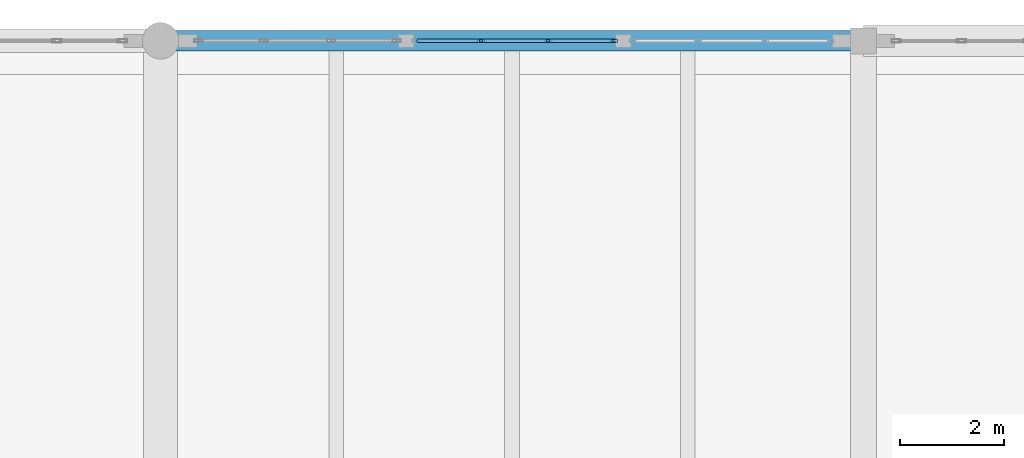
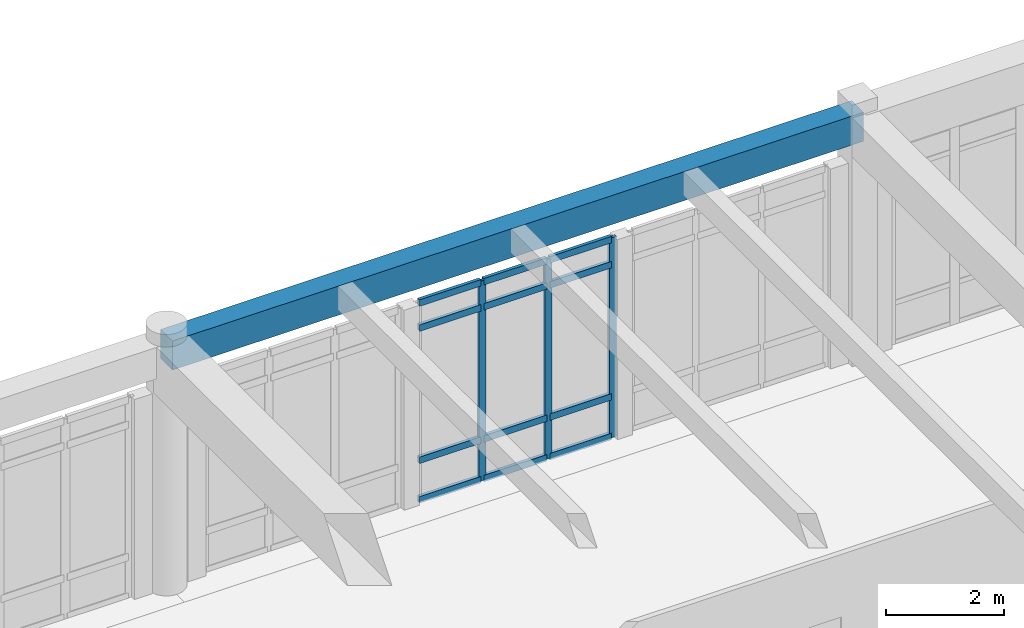
# One storey, part 57 of 138: 15 members, 1 beam, 1 element without a shape of its own.
"""IFC4 building model written with IfcOpenShell, lengths in metres."""

from ifc_helpers import new_model, si_unit, direction, frame, origin, origin_2d, place, context, subcontext, project, spatial, rectangle, hollow_rectangle, extrude, material, layer, layer_set, material_profile, profile_set, type_object, element, aggregate, save


model = new_model("IFC4")

# Units and contexts
model_context = context("Model", 3, precision=1e-05, world=origin(), true_north=direction((0.0, 1.0)))
body_context = subcontext(model_context, "Body", "Model", "MODEL_VIEW")
ifc_project = project(units=[si_unit("LENGTHUNIT", "METRE"), si_unit("AREAUNIT", "SQUARE_METRE"), si_unit("VOLUMEUNIT", "CUBIC_METRE"), si_unit("PLANEANGLEUNIT", "RADIAN"), si_unit("MASSUNIT", "GRAM", prefix="KILO")], contexts=[model_context])

# Site, building, storey
site_placement = place(None, origin())
site = spatial("IfcSite", under=ifc_project, at=site_placement, CompositionType="ELEMENT")
building_placement = place(site_placement, origin())
building = spatial("IfcBuilding", under=site, at=building_placement, Name="Fikremerkos Civic Library", CompositionType="ELEMENT")
storey_placement = place(building_placement, origin())
storey = spatial("IfcBuildingStorey", under=building, at=storey_placement, Name="L00", CompositionType="ELEMENT", Elevation=0.0)

# Curtain wall, members
ifc_material_1 = material(Name="Anodized aluminium Frame", Category="aluminium")
ifc_layer = layer(ifc_material_1, 0.159912109375, Name="Anodized aluminium Frame")
ifc_layer_set = layer_set([ifc_layer], Name="Anodized aluminium Frame")
curtain_wall_type = type_object("IfcCurtainWallType", Name="Unitised curtain wall CW-11 3200x3400", PredefinedType="USERDEFINED", material=ifc_layer_set)
curtain_wall_placement = place(storey_placement, origin())
curtain_wall = element("IfcCurtainWall", 1, at=curtain_wall_placement, inside=storey, type_object=curtain_wall_type, Name="Unitised curtain wall CW-11 L00 #47", ObjectType="UNITISED CURTAIN WALL", PredefinedType="USERDEFINED")
ifc_material_profile_1 = material_profile(ifc_material_1, hollow_rectangle(XDim=0.06005859375, YDim=0.139892578125, WallThickness=0.00390625, at=origin_2d()), Name="ALU 140x60x4")
ifc_profile_set_1 = profile_set([ifc_material_profile_1], Name="Anodized aluminium Frame")
member_type_1 = type_object("IfcMemberType", Name="Curtain mullion CWM-03 ALU 140x60x4", PredefinedType="MULLION", material=ifc_profile_set_1)
member_1_placement = place(storey_placement, frame((92.855224609375, 117.60009765625, 0.0), z_axis=(0.0, 0.0, 1.0), x_axis=(0.0, 1.0, 0.0)))
member_1 = element("IfcMember", 2, at=member_1_placement, type_object=member_type_1, Name="CW-11 mullion 2", PredefinedType="MULLION", context=body_context, shape_type="SweptSolid", body=[
    extrude(hollow_rectangle(XDim=0.06005859375, YDim=0.139892578125, WallThickness=0.00390625, at=origin_2d()), origin(), (0.0, 0.0, 1.0), 4.1298828125),
])
member_2_placement = place(storey_placement, frame((94.144775390625, 117.60009765625, 0.0), z_axis=(0.0, 0.0, 1.0), x_axis=(0.0, 1.0, 0.0)))
member_2 = element("IfcMember", 3, at=member_2_placement, type_object=member_type_1, Name="CW-11 mullion 3", PredefinedType="MULLION", context=body_context, shape_type="SweptSolid", body=[
    extrude(hollow_rectangle(XDim=0.06005859375, YDim=0.139892578125, WallThickness=0.00390625, at=origin_2d()), origin(), (0.0, 0.0, 1.0), 4.1298828125),
])
member_3_placement = place(storey_placement, frame((95.404052734375, 117.60009765625, 0.0), z_axis=(0.0, 0.0, 1.0), x_axis=(0.0, 1.0, 0.0)))
member_3 = element("IfcMember", 4, at=member_3_placement, type_object=member_type_1, Name="CW-11 mullion 4", PredefinedType="MULLION", context=body_context, shape_type="SweptSolid", body=[
    extrude(hollow_rectangle(XDim=0.06005859375, YDim=0.139892578125, WallThickness=0.00390625, at=origin_2d()), origin(), (0.0, 0.0, 1.0), 4.1298828125),
])
ifc_material_profile_2 = material_profile(ifc_material_1, hollow_rectangle(XDim=0.06494140625, YDim=0.135009765625, WallThickness=0.00439453125, at=origin_2d()), Name="ALU 135x65x4.5")
ifc_profile_set_2 = profile_set([ifc_material_profile_2], Name="Anodized aluminium Frame")
member_type_2 = type_object("IfcMemberType", Name="Curtain transom CWT-02 ALU 135x65x4.5", PredefinedType="USERDEFINED", material=ifc_profile_set_2)
member_4_placement = place(storey_placement, frame((91.6259765625, 117.60009765625, 0.032470703125), z_axis=(1.0, 0.0, 0.0), x_axis=(0.0, 1.0, 0.0)))
member_4 = element("IfcMember", 5, at=member_4_placement, type_object=member_type_2, Name="CW-11 transom 1.1", ObjectType="TRANSOM", PredefinedType="USERDEFINED", context=body_context, shape_type="SweptSolid", body=[
    extrude(hollow_rectangle(XDim=0.06494140625, YDim=0.135009765625, WallThickness=0.00439453125, at=origin_2d()), origin(), (0.0, 0.0, 1.0), 1.199462890625),
])
member_5_placement = place(storey_placement, frame((91.6259765625, 117.60009765625, 0.85009765625), z_axis=(1.0, 0.0, 0.0), x_axis=(0.0, 1.0, 0.0)))
member_5 = element("IfcMember", 6, at=member_5_placement, type_object=member_type_2, Name="CW-11 transom 1.2", ObjectType="TRANSOM", PredefinedType="USERDEFINED", context=body_context, shape_type="SweptSolid", body=[
    extrude(hollow_rectangle(XDim=0.06494140625, YDim=0.135009765625, WallThickness=0.00439453125, at=origin_2d()), origin(), (0.0, 0.0, 1.0), 1.199462890625),
])
member_6_placement = place(storey_placement, frame((91.6259765625, 117.60009765625, 3.580078125), z_axis=(1.0, 0.0, 0.0), x_axis=(0.0, 1.0, 0.0)))
member_6 = element("IfcMember", 7, at=member_6_placement, type_object=member_type_2, Name="CW-11 transom 1.3", ObjectType="TRANSOM", PredefinedType="USERDEFINED", context=body_context, shape_type="SweptSolid", body=[
    extrude(hollow_rectangle(XDim=0.06494140625, YDim=0.135009765625, WallThickness=0.00439453125, at=origin_2d()), origin(), (0.0, 0.0, 1.0), 1.199462890625),
])
member_7_placement = place(storey_placement, frame((91.6259765625, 117.60009765625, 4.097412109375), z_axis=(1.0, 0.0, 0.0), x_axis=(0.0, 1.0, 0.0)))
member_7 = element("IfcMember", 8, at=member_7_placement, type_object=member_type_2, Name="CW-11 transom 1.4", ObjectType="TRANSOM", PredefinedType="USERDEFINED", context=body_context, shape_type="SweptSolid", body=[
    extrude(hollow_rectangle(XDim=0.06494140625, YDim=0.135009765625, WallThickness=0.00439453125, at=origin_2d()), origin(), (0.0, 0.0, 1.0), 1.199462890625),
])
member_8_placement = place(storey_placement, frame((92.88525390625, 117.60009765625, 0.032470703125), z_axis=(1.0, 0.0, 0.0), x_axis=(0.0, 1.0, 0.0)))
member_8 = element("IfcMember", 9, at=member_8_placement, type_object=member_type_2, Name="CW-11 transom 2.1", ObjectType="TRANSOM", PredefinedType="USERDEFINED", context=body_context, shape_type="SweptSolid", body=[
    extrude(hollow_rectangle(XDim=0.06494140625, YDim=0.135009765625, WallThickness=0.00439453125, at=origin_2d()), origin(), (0.0, 0.0, 1.0), 1.2294921875),
])
member_9_placement = place(storey_placement, frame((92.88525390625, 117.60009765625, 0.85009765625), z_axis=(1.0, 0.0, 0.0), x_axis=(0.0, 1.0, 0.0)))
member_9 = element("IfcMember", 10, at=member_9_placement, type_object=member_type_2, Name="CW-11 transom 2.2", ObjectType="TRANSOM", PredefinedType="USERDEFINED", context=body_context, shape_type="SweptSolid", body=[
    extrude(hollow_rectangle(XDim=0.06494140625, YDim=0.135009765625, WallThickness=0.00439453125, at=origin_2d()), origin(), (0.0, 0.0, 1.0), 1.2294921875),
])
member_10_placement = place(storey_placement, frame((92.88525390625, 117.60009765625, 3.580078125), z_axis=(1.0, 0.0, 0.0), x_axis=(0.0, 1.0, 0.0)))
member_10 = element("IfcMember", 11, at=member_10_placement, type_object=member_type_2, Name="CW-11 transom 2.3", ObjectType="TRANSOM", PredefinedType="USERDEFINED", context=body_context, shape_type="SweptSolid", body=[
    extrude(hollow_rectangle(XDim=0.06494140625, YDim=0.135009765625, WallThickness=0.00439453125, at=origin_2d()), origin(), (0.0, 0.0, 1.0), 1.2294921875),
])
member_11_placement = place(storey_placement, frame((92.88525390625, 117.60009765625, 4.097412109375), z_axis=(1.0, 0.0, 0.0), x_axis=(0.0, 1.0, 0.0)))
member_11 = element("IfcMember", 12, at=member_11_placement, type_object=member_type_2, Name="CW-11 transom 2.4", ObjectType="TRANSOM", PredefinedType="USERDEFINED", context=body_context, shape_type="SweptSolid", body=[
    extrude(hollow_rectangle(XDim=0.06494140625, YDim=0.135009765625, WallThickness=0.00439453125, at=origin_2d()), origin(), (0.0, 0.0, 1.0), 1.2294921875),
])
member_12_placement = place(storey_placement, frame((94.174560546875, 117.60009765625, 0.032470703125), z_axis=(1.0, 0.0, 0.0), x_axis=(0.0, 1.0, 0.0)))
member_12 = element("IfcMember", 13, at=member_12_placement, type_object=member_type_2, Name="CW-11 transom 3.1", ObjectType="TRANSOM", PredefinedType="USERDEFINED", context=body_context, shape_type="SweptSolid", body=[
    extrude(hollow_rectangle(XDim=0.06494140625, YDim=0.135009765625, WallThickness=0.00439453125, at=origin_2d()), origin(), (0.0, 0.0, 1.0), 1.199462890625),
])
member_13_placement = place(storey_placement, frame((94.174560546875, 117.60009765625, 0.85009765625), z_axis=(1.0, 0.0, 0.0), x_axis=(0.0, 1.0, 0.0)))
member_13 = element("IfcMember", 14, at=member_13_placement, type_object=member_type_2, Name="CW-11 transom 3.2", ObjectType="TRANSOM", PredefinedType="USERDEFINED", context=body_context, shape_type="SweptSolid", body=[
    extrude(hollow_rectangle(XDim=0.06494140625, YDim=0.135009765625, WallThickness=0.00439453125, at=origin_2d()), origin(), (0.0, 0.0, 1.0), 1.199462890625),
])
member_14_placement = place(storey_placement, frame((94.174560546875, 117.60009765625, 3.580078125), z_axis=(1.0, 0.0, 0.0), x_axis=(0.0, 1.0, 0.0)))
member_14 = element("IfcMember", 15, at=member_14_placement, type_object=member_type_2, Name="CW-11 transom 3.3", ObjectType="TRANSOM", PredefinedType="USERDEFINED", context=body_context, shape_type="SweptSolid", body=[
    extrude(hollow_rectangle(XDim=0.06494140625, YDim=0.135009765625, WallThickness=0.00439453125, at=origin_2d()), origin(), (0.0, 0.0, 1.0), 1.199462890625),
])
member_15_placement = place(storey_placement, frame((94.174560546875, 117.60009765625, 4.097412109375), z_axis=(1.0, 0.0, 0.0), x_axis=(0.0, 1.0, 0.0)))
member_15 = element("IfcMember", 16, at=member_15_placement, type_object=member_type_2, Name="CW-11 transom 3.4", ObjectType="TRANSOM", PredefinedType="USERDEFINED", context=body_context, shape_type="SweptSolid", body=[
    extrude(hollow_rectangle(XDim=0.06494140625, YDim=0.135009765625, WallThickness=0.00439453125, at=origin_2d()), origin(), (0.0, 0.0, 1.0), 1.199462890625),
])
aggregate(curtain_wall, [member_1, member_2, member_3, member_4, member_5, member_6, member_7, member_8, member_9, member_10, member_11, member_12, member_13, member_14, member_15])

# Beam
ifc_material_2 = material(Name="Concrete C40/50", Category="concrete")
ifc_material_profile_3 = material_profile(ifc_material_2, rectangle(XDim=0.39990234375, YDim=0.60009765625, at=origin_2d()), Name="RC 400x600")
ifc_profile_set_3 = profile_set([ifc_material_profile_3], Name="Concrete C40/50")
beam_type = type_object("IfcBeamType", Name="Primary girder BM-08 RC 400x600", PredefinedType="BEAM", material=ifc_profile_set_3)
beam_placement = place(storey_placement, frame((86.699951171875, 117.60009765625, 4.840087890625), z_axis=(1.0, 0.0, 0.0), x_axis=(0.0, 1.0, 0.0)))
element("IfcBeam", 17, at=beam_placement, inside=storey, type_object=beam_type, Name="Primary girder BM-08 L00 grid N", PredefinedType="BEAM", context=body_context, shape_type="SweptSolid", body=[
    extrude(rectangle(XDim=0.39990234375, YDim=0.60009765625, at=origin_2d()), origin(), (0.0, 0.0, 1.0), 13.5),
])

save(model, "model.ifc")
